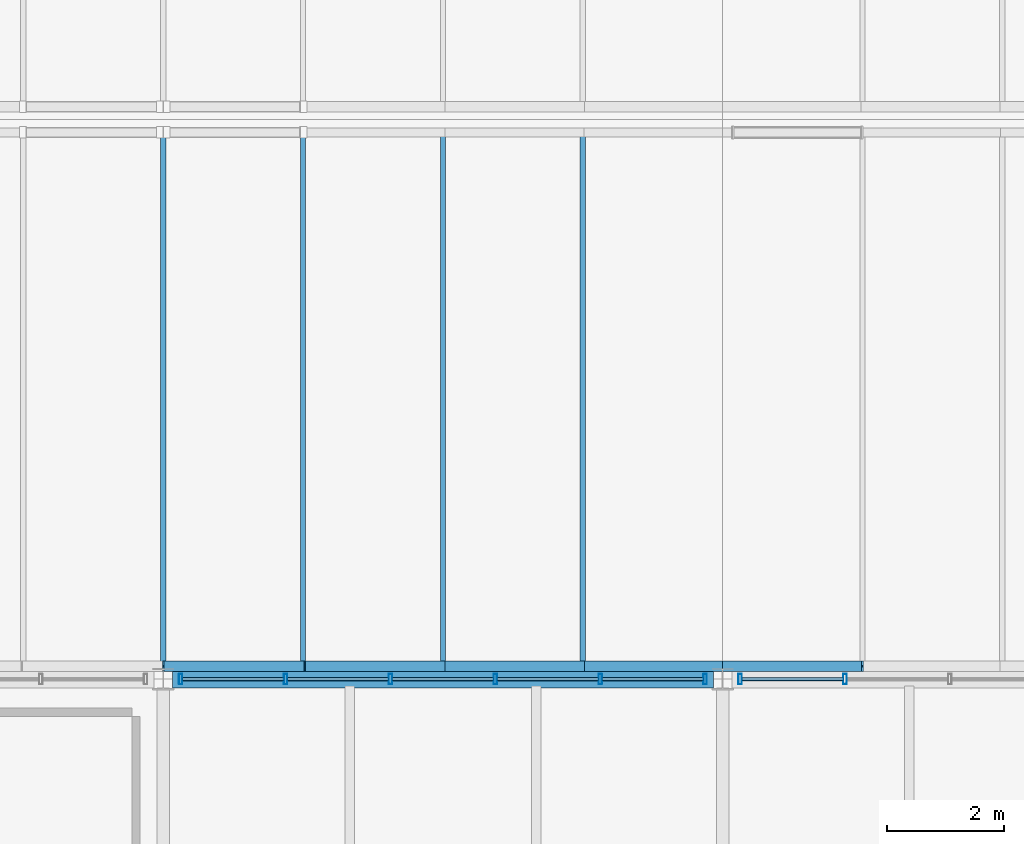
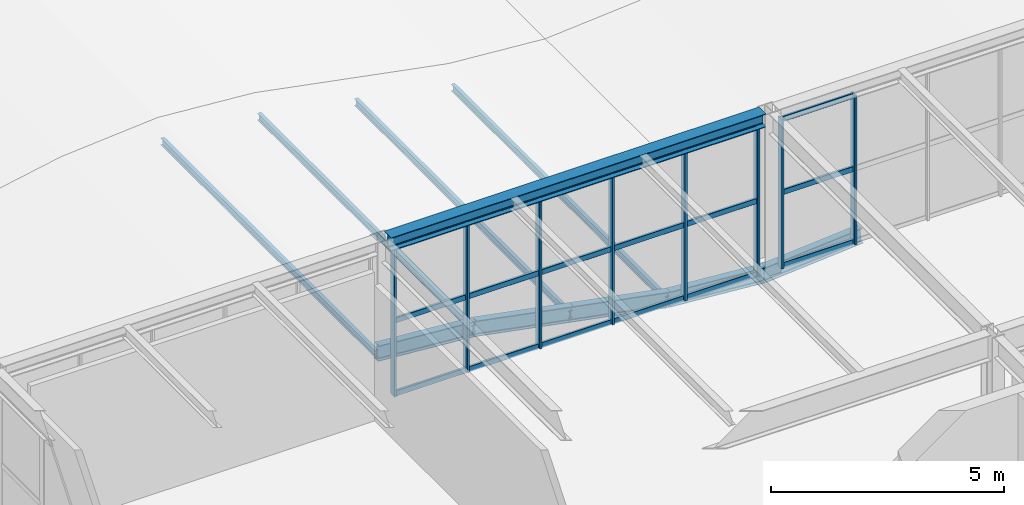
# One storey, part 91 of 170: 30 members, 6 beams, 2 elements without a shape of their own.
"""IFC4 building model written with IfcOpenShell, lengths in metres."""

from ifc_helpers import new_model, si_unit, direction, frame, origin, origin_2d, place, context, subcontext, project, spatial, hollow_rectangle, i_section, extrude, material, material_profile, profile_set, type_object, element, aggregate, save


model = new_model("IFC4")

# Units and contexts
model_context = context("Model", 3, precision=1e-05, world=origin(), true_north=direction((0.0, 1.0)))
body_context = subcontext(model_context, "Body", "Model", "MODEL_VIEW")
ifc_project = project(units=[si_unit("LENGTHUNIT", "METRE"), si_unit("AREAUNIT", "SQUARE_METRE"), si_unit("VOLUMEUNIT", "CUBIC_METRE"), si_unit("PLANEANGLEUNIT", "RADIAN"), si_unit("MASSUNIT", "GRAM", prefix="KILO")], contexts=[model_context])

# Site, building, storey
site_placement = place(None, origin())
site = spatial("IfcSite", under=ifc_project, at=site_placement, CompositionType="ELEMENT")
building_placement = place(site_placement, origin())
building = spatial("IfcBuilding", under=site, at=building_placement, Name="Coralgate Yard Interchange", CompositionType="ELEMENT")
storey_placement = place(building_placement, frame((0.0, 0.0, 6.0)))
storey = spatial("IfcBuildingStorey", under=building, at=storey_placement, Name="L01", CompositionType="ELEMENT", Elevation=6.0)

# Beams
ifc_material_1 = material(Name="Structural steel S355J2", Category="steel")
ifc_material_profile_1 = material_profile(ifc_material_1, i_section(OverallWidth=0.300048828125, OverallDepth=0.35009765625, WebThickness=0.010009765625, FlangeThickness=0.017578125, FilletRadius=0.027099609375, at=origin_2d()), Name="HEA 360")
ifc_profile_set_1 = profile_set([ifc_material_profile_1], Name="Structural steel S355J2")
beam_type_1 = type_object("IfcBeamType", Name="BM-SP-1", PredefinedType="SPANDREL", material=ifc_profile_set_1)
beam_1_placement = place(storey_placement, frame((48.15625, 96.0, 4.074951171875), z_axis=(1.0, 0.0, 0.0), x_axis=(0.0, 1.0, 0.0)))
element("IfcBeam", 1, at=beam_1_placement, inside=storey, type_object=beam_type_1, Name="L01 primary grid beam Y10 X5-6", PredefinedType="SPANDREL", context=body_context, shape_type="SweptSolid", body=[
    extrude(i_section(OverallWidth=0.300048828125, OverallDepth=0.35009765625, WebThickness=0.010009765625, FlangeThickness=0.017578125, FilletRadius=0.027099609375, at=origin_2d()), origin(), (0.0, 0.0, 1.0), 9.287353515625),
])
ifc_material_2 = material(Name="Off-white architectural structural steel S355J2", Category="steel")
ifc_material_profile_2 = material_profile(ifc_material_2, i_section(OverallWidth=0.179931640625, OverallDepth=0.39990234375, WebThickness=0.008544921875, FlangeThickness=0.013427734375, FilletRadius=0.02099609375, at=origin_2d()), Name="IPE 400")
ifc_profile_set_2 = profile_set([ifc_material_profile_2], Name="Off-white architectural structural steel S355J2")
beam_type_2 = type_object("IfcBeamType", Name="BM-WR-1", PredefinedType="BEAM", material=ifc_profile_set_2)
beam_2_placement = place(storey_placement, frame((48.0, 96.219970703125, 1.10009765625), z_axis=(0.996866661985, 0.0, -0.079100304817), x_axis=(0.0, 1.0, 0.0)))
element("IfcBeam", 2, at=beam_2_placement, inside=storey, type_object=beam_type_2, Name="Wave-shell steel arch rib R1-W1-S5", PredefinedType="BEAM", context=body_context, shape_type="SweptSolid", body=[
    extrude(i_section(OverallWidth=0.179931640625, OverallDepth=0.39990234375, WebThickness=0.008544921875, FlangeThickness=0.013427734375, FilletRadius=0.02099609375, at=origin_2d()), origin(), (0.0, 0.0, 1.0), 2.407470703125),
])
beam_3_placement = place(storey_placement, frame((50.39990234375, 96.219970703125, 0.90966796875), z_axis=(0.982146552954, 0.0, -0.188117379637), x_axis=(0.0, 1.0, 0.0)))
element("IfcBeam", 3, at=beam_3_placement, inside=storey, type_object=beam_type_2, Name="Wave-shell steel arch rib R1-W1-S6", PredefinedType="BEAM", context=body_context, shape_type="SweptSolid", body=[
    extrude(i_section(OverallWidth=0.179931640625, OverallDepth=0.39990234375, WebThickness=0.008544921875, FlangeThickness=0.013427734375, FilletRadius=0.02099609375, at=origin_2d()), origin(), (0.0, 0.0, 1.0), 2.44384765625),
])
beam_4_placement = place(storey_placement, frame((52.800048828125, 96.219970703125, 0.449951171875), z_axis=(0.98216147419, 0.0, -0.188039460267), x_axis=(0.0, 1.0, 0.0)))
element("IfcBeam", 4, at=beam_4_placement, inside=storey, type_object=beam_type_2, Name="Wave-shell steel arch rib R1-W1-S7", PredefinedType="BEAM", context=body_context, shape_type="SweptSolid", body=[
    extrude(i_section(OverallWidth=0.179931640625, OverallDepth=0.39990234375, WebThickness=0.008544921875, FlangeThickness=0.013427734375, FilletRadius=0.02099609375, at=origin_2d()), origin(), (0.0, 0.0, 1.0), 2.443603515625),
])
beam_5_placement = place(storey_placement, frame((55.199951171875, 96.219970703125, -0.009521484375), z_axis=(0.996867296401, 0.0, -0.079092309144), x_axis=(0.0, 1.0, 0.0)))
element("IfcBeam", 5, at=beam_5_placement, inside=storey, type_object=beam_type_2, Name="Wave-shell steel arch rib R1-W1-S8", PredefinedType="BEAM", context=body_context, shape_type="SweptSolid", body=[
    extrude(i_section(OverallWidth=0.179931640625, OverallDepth=0.39990234375, WebThickness=0.008544921875, FlangeThickness=0.013427734375, FilletRadius=0.02099609375, at=origin_2d()), origin(), (0.0, 0.0, 1.0), 2.40771484375),
])
beam_6_placement = place(storey_placement, frame((57.60009765625, 96.219970703125, -0.199951171875), z_axis=(0.996866661985, 0.0, 0.079100304817), x_axis=(0.0, 1.0, 0.0)))
element("IfcBeam", 6, at=beam_6_placement, inside=storey, type_object=beam_type_2, Name="Wave-shell steel arch rib R1-W2-S1", PredefinedType="BEAM", context=body_context, shape_type="SweptSolid", body=[
    extrude(i_section(OverallWidth=0.179931640625, OverallDepth=0.39990234375, WebThickness=0.008544921875, FlangeThickness=0.013427734375, FilletRadius=0.02099609375, at=origin_2d()), origin(), (0.0, 0.0, 1.0), 2.407470703125),
])

# Curtain wall, members
ifc_material_3 = material(Name="Anodised coastal aluminium and solar-control low-E glass", Category="aluminium")
curtain_wall_type = type_object("IfcCurtainWallType", Name="CW-CW-L01-B", PredefinedType="NOTDEFINED", material=ifc_material_3)
curtain_wall_1_placement = place(storey_placement, origin())
curtain_wall_1 = element("IfcCurtainWall", 7, at=curtain_wall_1_placement, inside=storey, type_object=curtain_wall_type, Name="L01 unitised curtain wall CW-L01-N-05-09", PredefinedType="NOTDEFINED")
ifc_material_4 = material(Name="Anodised coastal aluminium 6063-T6", Category="aluminium")
ifc_material_profile_3 = material_profile(ifc_material_4, hollow_rectangle(XDim=0.06005859375, YDim=0.179931640625, WallThickness=0.00390625, InnerFilletRadius=0.00390625, OuterFilletRadius=0.008056640625, at=origin_2d()), Name="ALU 60x180x4")
ifc_profile_set_3 = profile_set([ifc_material_profile_3], Name="Anodised coastal aluminium 6063-T6")
member_type_1 = type_object("IfcMemberType", Name="MB-MUL-180", PredefinedType="MULLION", material=ifc_profile_set_3)
member_1_placement = place(storey_placement, frame((48.300048828125, 96.0, 0.0), z_axis=(0.0, 0.0, 1.0), x_axis=(1.0, 0.0, 0.0)))
member_1 = element("IfcMember", 8, at=member_1_placement, type_object=member_type_1, Name="CW-L01-N-05-09 vertical mullion 1", PredefinedType="MULLION", context=body_context, shape_type="SweptSolid", body=[
    extrude(hollow_rectangle(XDim=0.06005859375, YDim=0.179931640625, WallThickness=0.00390625, InnerFilletRadius=0.00390625, OuterFilletRadius=0.008056640625, at=origin_2d()), origin(), (0.0, 0.0, 1.0), 3.89990234375),
])
member_2_placement = place(storey_placement, frame((50.10009765625, 96.0, 0.0), z_axis=(0.0, 0.0, 1.0), x_axis=(1.0, 0.0, 0.0)))
member_2 = element("IfcMember", 9, at=member_2_placement, type_object=member_type_1, Name="CW-L01-N-05-09 vertical mullion 2", PredefinedType="MULLION", context=body_context, shape_type="SweptSolid", body=[
    extrude(hollow_rectangle(XDim=0.06005859375, YDim=0.179931640625, WallThickness=0.00390625, InnerFilletRadius=0.00390625, OuterFilletRadius=0.008056640625, at=origin_2d()), origin(), (0.0, 0.0, 1.0), 3.89990234375),
])
member_3_placement = place(storey_placement, frame((51.89990234375, 96.0, 0.0), z_axis=(0.0, 0.0, 1.0), x_axis=(1.0, 0.0, 0.0)))
member_3 = element("IfcMember", 10, at=member_3_placement, type_object=member_type_1, Name="CW-L01-N-05-09 vertical mullion 3", PredefinedType="MULLION", context=body_context, shape_type="SweptSolid", body=[
    extrude(hollow_rectangle(XDim=0.06005859375, YDim=0.179931640625, WallThickness=0.00390625, InnerFilletRadius=0.00390625, OuterFilletRadius=0.008056640625, at=origin_2d()), origin(), (0.0, 0.0, 1.0), 3.89990234375),
])
member_4_placement = place(storey_placement, frame((53.699951171875, 96.0, 0.0), z_axis=(0.0, 0.0, 1.0), x_axis=(1.0, 0.0, 0.0)))
member_4 = element("IfcMember", 11, at=member_4_placement, type_object=member_type_1, Name="CW-L01-N-05-09 vertical mullion 4", PredefinedType="MULLION", context=body_context, shape_type="SweptSolid", body=[
    extrude(hollow_rectangle(XDim=0.06005859375, YDim=0.179931640625, WallThickness=0.00390625, InnerFilletRadius=0.00390625, OuterFilletRadius=0.008056640625, at=origin_2d()), origin(), (0.0, 0.0, 1.0), 3.89990234375),
])
member_5_placement = place(storey_placement, frame((55.5, 96.0, 0.0), z_axis=(0.0, 0.0, 1.0), x_axis=(1.0, 0.0, 0.0)))
member_5 = element("IfcMember", 12, at=member_5_placement, type_object=member_type_1, Name="CW-L01-N-05-09 vertical mullion 5", PredefinedType="MULLION", context=body_context, shape_type="SweptSolid", body=[
    extrude(hollow_rectangle(XDim=0.06005859375, YDim=0.179931640625, WallThickness=0.00390625, InnerFilletRadius=0.00390625, OuterFilletRadius=0.008056640625, at=origin_2d()), origin(), (0.0, 0.0, 1.0), 3.89990234375),
])
member_6_placement = place(storey_placement, frame((57.300048828125, 96.0, 0.0), z_axis=(0.0, 0.0, 1.0), x_axis=(1.0, 0.0, 0.0)))
member_6 = element("IfcMember", 13, at=member_6_placement, type_object=member_type_1, Name="CW-L01-N-05-09 vertical mullion 6", PredefinedType="MULLION", context=body_context, shape_type="SweptSolid", body=[
    extrude(hollow_rectangle(XDim=0.06005859375, YDim=0.179931640625, WallThickness=0.00390625, InnerFilletRadius=0.00390625, OuterFilletRadius=0.008056640625, at=origin_2d()), origin(), (0.0, 0.0, 1.0), 3.89990234375),
])

curtain_wall_2_placement = place(storey_placement, origin())
curtain_wall_2 = element("IfcCurtainWall", 14, at=curtain_wall_2_placement, inside=storey, type_object=curtain_wall_type, Name="L01 unitised curtain wall CW-L01-N-06-09", PredefinedType="NOTDEFINED")
member_7_placement = place(storey_placement, frame((57.89990234375, 96.0, 0.0), z_axis=(0.0, 0.0, 1.0), x_axis=(1.0, 0.0, 0.0)))
member_7 = element("IfcMember", 15, at=member_7_placement, type_object=member_type_1, Name="CW-L01-N-06-09 vertical mullion 1", PredefinedType="MULLION", context=body_context, shape_type="SweptSolid", body=[
    extrude(hollow_rectangle(XDim=0.06005859375, YDim=0.179931640625, WallThickness=0.00390625, InnerFilletRadius=0.00390625, OuterFilletRadius=0.008056640625, at=origin_2d()), origin(), (0.0, 0.0, 1.0), 3.89990234375),
])
member_8_placement = place(storey_placement, frame((59.699951171875, 96.0, 0.0), z_axis=(0.0, 0.0, 1.0), x_axis=(1.0, 0.0, 0.0)))
member_8 = element("IfcMember", 16, at=member_8_placement, type_object=member_type_1, Name="CW-L01-N-06-09 vertical mullion 2", PredefinedType="MULLION", context=body_context, shape_type="SweptSolid", body=[
    extrude(hollow_rectangle(XDim=0.06005859375, YDim=0.179931640625, WallThickness=0.00390625, InnerFilletRadius=0.00390625, OuterFilletRadius=0.008056640625, at=origin_2d()), origin(), (0.0, 0.0, 1.0), 3.89990234375),
])

# Members
ifc_material_profile_4 = material_profile(ifc_material_2, i_section(OverallWidth=0.091064453125, OverallDepth=0.179931640625, WebThickness=0.00537109375, FlangeThickness=0.008056640625, FilletRadius=0.009033203125, at=origin_2d()), Name="IPE 180")
ifc_profile_set_4 = profile_set([ifc_material_profile_4], Name="Off-white architectural structural steel S355J2")
member_type_2 = type_object("IfcMemberType", Name="MB-PR-2", PredefinedType="PURLIN", material=ifc_profile_set_4)
for number, where, z_axis, x_axis, name in (
    (17, (48.0, 96.199951171875, 1.06005859375), (0.0, 1.0, 0.0), (-1.0, 0.0, 0.0), "Wave-shell purlin R1-W1-5"),
    (18, (50.39990234375, 96.199951171875, 0.86962890625), (0.0, 1.0, 0.0), (-1.0, 0.0, 0.0), "Wave-shell purlin R1-W1-6"),
    (19, (52.800048828125, 96.199951171875, 0.409912109375), (0.0, 1.0, 0.0), (-1.0, 0.0, 0.0), "Wave-shell purlin R1-W1-7"),
    (20, (55.199951171875, 96.199951171875, -0.049560546875), (0.0, 1.0, 0.0), (-1.0, 0.0, 0.0), "Wave-shell purlin R1-W1-8"),
):
    element("IfcMember", number, at=place(storey_placement, frame(where, z_axis=z_axis, x_axis=x_axis)), inside=storey, type_object=member_type_2, Name=name, PredefinedType="PURLIN", context=body_context, shape_type="SweptSolid", body=[
        extrude(i_section(OverallWidth=0.091064453125, OverallDepth=0.179931640625, WebThickness=0.00537109375, FlangeThickness=0.008056640625, FilletRadius=0.009033203125, at=origin_2d()), origin(), (0.0, 0.0, 1.0), 9.199951171875),
    ])

# Member
ifc_material_profile_5 = material_profile(ifc_material_4, hollow_rectangle(XDim=0.06005859375, YDim=0.139892578125, WallThickness=0.00341796875, InnerFilletRadius=0.00341796875, OuterFilletRadius=0.007080078125, at=origin_2d()), Name="ALU 60x140x3.5")
ifc_profile_set_5 = profile_set([ifc_material_profile_5], Name="Anodised coastal aluminium 6063-T6")
member_type_3 = type_object("IfcMemberType", Name="MB-TRN-140", PredefinedType="USERDEFINED", material=ifc_profile_set_5)
member_9_placement = place(storey_placement, frame((48.330078125, 96.0, 0.034912109375), z_axis=(1.0, 0.0, 0.0), x_axis=(0.0, 1.0, 0.0)))
member_9 = element("IfcMember", 21, at=member_9_placement, type_object=member_type_3, Name="CW-L01-N-05-09 horizontal transom 1-1", ObjectType="TRANSOM", PredefinedType="USERDEFINED", context=body_context, shape_type="SweptSolid", body=[
    extrude(hollow_rectangle(XDim=0.06005859375, YDim=0.139892578125, WallThickness=0.00341796875, InnerFilletRadius=0.00341796875, OuterFilletRadius=0.007080078125, at=origin_2d()), origin(), (0.0, 0.0, 1.0), 1.739990234375),
])

member_10_placement = place(storey_placement, frame((48.330078125, 96.0, 1.949951171875), z_axis=(1.0, 0.0, 0.0), x_axis=(0.0, 1.0, 0.0)))
member_10 = element("IfcMember", 22, at=member_10_placement, type_object=member_type_3, Name="CW-L01-N-05-09 horizontal transom 1-2", ObjectType="TRANSOM", PredefinedType="USERDEFINED", context=body_context, shape_type="SweptSolid", body=[
    extrude(hollow_rectangle(XDim=0.06005859375, YDim=0.139892578125, WallThickness=0.00341796875, InnerFilletRadius=0.00341796875, OuterFilletRadius=0.007080078125, at=origin_2d()), origin(), (0.0, 0.0, 1.0), 1.739990234375),
])

member_11_placement = place(storey_placement, frame((48.330078125, 96.0, 3.864990234375), z_axis=(1.0, 0.0, 0.0), x_axis=(0.0, 1.0, 0.0)))
member_11 = element("IfcMember", 23, at=member_11_placement, type_object=member_type_3, Name="CW-L01-N-05-09 horizontal transom 1-3", ObjectType="TRANSOM", PredefinedType="USERDEFINED", context=body_context, shape_type="SweptSolid", body=[
    extrude(hollow_rectangle(XDim=0.06005859375, YDim=0.139892578125, WallThickness=0.00341796875, InnerFilletRadius=0.00341796875, OuterFilletRadius=0.007080078125, at=origin_2d()), origin(), (0.0, 0.0, 1.0), 1.739990234375),
])

member_12_placement = place(storey_placement, frame((50.1298828125, 96.0, 0.034912109375), z_axis=(1.0, 0.0, 0.0), x_axis=(0.0, 1.0, 0.0)))
member_12 = element("IfcMember", 24, at=member_12_placement, type_object=member_type_3, Name="CW-L01-N-05-09 horizontal transom 2-1", ObjectType="TRANSOM", PredefinedType="USERDEFINED", context=body_context, shape_type="SweptSolid", body=[
    extrude(hollow_rectangle(XDim=0.06005859375, YDim=0.139892578125, WallThickness=0.00341796875, InnerFilletRadius=0.00341796875, OuterFilletRadius=0.007080078125, at=origin_2d()), origin(), (0.0, 0.0, 1.0), 1.740234375),
])

member_13_placement = place(storey_placement, frame((50.1298828125, 96.0, 1.949951171875), z_axis=(1.0, 0.0, 0.0), x_axis=(0.0, 1.0, 0.0)))
member_13 = element("IfcMember", 25, at=member_13_placement, type_object=member_type_3, Name="CW-L01-N-05-09 horizontal transom 2-2", ObjectType="TRANSOM", PredefinedType="USERDEFINED", context=body_context, shape_type="SweptSolid", body=[
    extrude(hollow_rectangle(XDim=0.06005859375, YDim=0.139892578125, WallThickness=0.00341796875, InnerFilletRadius=0.00341796875, OuterFilletRadius=0.007080078125, at=origin_2d()), origin(), (0.0, 0.0, 1.0), 1.740234375),
])

member_14_placement = place(storey_placement, frame((50.1298828125, 96.0, 3.864990234375), z_axis=(1.0, 0.0, 0.0), x_axis=(0.0, 1.0, 0.0)))
member_14 = element("IfcMember", 26, at=member_14_placement, type_object=member_type_3, Name="CW-L01-N-05-09 horizontal transom 2-3", ObjectType="TRANSOM", PredefinedType="USERDEFINED", context=body_context, shape_type="SweptSolid", body=[
    extrude(hollow_rectangle(XDim=0.06005859375, YDim=0.139892578125, WallThickness=0.00341796875, InnerFilletRadius=0.00341796875, OuterFilletRadius=0.007080078125, at=origin_2d()), origin(), (0.0, 0.0, 1.0), 1.740234375),
])

member_15_placement = place(storey_placement, frame((51.929931640625, 96.0, 0.034912109375), z_axis=(1.0, 0.0, 0.0), x_axis=(0.0, 1.0, 0.0)))
member_15 = element("IfcMember", 27, at=member_15_placement, type_object=member_type_3, Name="CW-L01-N-05-09 horizontal transom 3-1", ObjectType="TRANSOM", PredefinedType="USERDEFINED", context=body_context, shape_type="SweptSolid", body=[
    extrude(hollow_rectangle(XDim=0.06005859375, YDim=0.139892578125, WallThickness=0.00341796875, InnerFilletRadius=0.00341796875, OuterFilletRadius=0.007080078125, at=origin_2d()), origin(), (0.0, 0.0, 1.0), 1.739990234375),
])

member_16_placement = place(storey_placement, frame((51.929931640625, 96.0, 1.949951171875), z_axis=(1.0, 0.0, 0.0), x_axis=(0.0, 1.0, 0.0)))
member_16 = element("IfcMember", 28, at=member_16_placement, type_object=member_type_3, Name="CW-L01-N-05-09 horizontal transom 3-2", ObjectType="TRANSOM", PredefinedType="USERDEFINED", context=body_context, shape_type="SweptSolid", body=[
    extrude(hollow_rectangle(XDim=0.06005859375, YDim=0.139892578125, WallThickness=0.00341796875, InnerFilletRadius=0.00341796875, OuterFilletRadius=0.007080078125, at=origin_2d()), origin(), (0.0, 0.0, 1.0), 1.739990234375),
])

member_17_placement = place(storey_placement, frame((51.929931640625, 96.0, 3.864990234375), z_axis=(1.0, 0.0, 0.0), x_axis=(0.0, 1.0, 0.0)))
member_17 = element("IfcMember", 29, at=member_17_placement, type_object=member_type_3, Name="CW-L01-N-05-09 horizontal transom 3-3", ObjectType="TRANSOM", PredefinedType="USERDEFINED", context=body_context, shape_type="SweptSolid", body=[
    extrude(hollow_rectangle(XDim=0.06005859375, YDim=0.139892578125, WallThickness=0.00341796875, InnerFilletRadius=0.00341796875, OuterFilletRadius=0.007080078125, at=origin_2d()), origin(), (0.0, 0.0, 1.0), 1.739990234375),
])

member_18_placement = place(storey_placement, frame((53.72998046875, 96.0, 0.034912109375), z_axis=(1.0, 0.0, 0.0), x_axis=(0.0, 1.0, 0.0)))
member_18 = element("IfcMember", 30, at=member_18_placement, type_object=member_type_3, Name="CW-L01-N-05-09 horizontal transom 4-1", ObjectType="TRANSOM", PredefinedType="USERDEFINED", context=body_context, shape_type="SweptSolid", body=[
    extrude(hollow_rectangle(XDim=0.06005859375, YDim=0.139892578125, WallThickness=0.00341796875, InnerFilletRadius=0.00341796875, OuterFilletRadius=0.007080078125, at=origin_2d()), origin(), (0.0, 0.0, 1.0), 1.739990234375),
])

member_19_placement = place(storey_placement, frame((53.72998046875, 96.0, 1.949951171875), z_axis=(1.0, 0.0, 0.0), x_axis=(0.0, 1.0, 0.0)))
member_19 = element("IfcMember", 31, at=member_19_placement, type_object=member_type_3, Name="CW-L01-N-05-09 horizontal transom 4-2", ObjectType="TRANSOM", PredefinedType="USERDEFINED", context=body_context, shape_type="SweptSolid", body=[
    extrude(hollow_rectangle(XDim=0.06005859375, YDim=0.139892578125, WallThickness=0.00341796875, InnerFilletRadius=0.00341796875, OuterFilletRadius=0.007080078125, at=origin_2d()), origin(), (0.0, 0.0, 1.0), 1.739990234375),
])

member_20_placement = place(storey_placement, frame((53.72998046875, 96.0, 3.864990234375), z_axis=(1.0, 0.0, 0.0), x_axis=(0.0, 1.0, 0.0)))
member_20 = element("IfcMember", 32, at=member_20_placement, type_object=member_type_3, Name="CW-L01-N-05-09 horizontal transom 4-3", ObjectType="TRANSOM", PredefinedType="USERDEFINED", context=body_context, shape_type="SweptSolid", body=[
    extrude(hollow_rectangle(XDim=0.06005859375, YDim=0.139892578125, WallThickness=0.00341796875, InnerFilletRadius=0.00341796875, OuterFilletRadius=0.007080078125, at=origin_2d()), origin(), (0.0, 0.0, 1.0), 1.739990234375),
])

member_21_placement = place(storey_placement, frame((55.530029296875, 96.0, 0.034912109375), z_axis=(1.0, 0.0, 0.0), x_axis=(0.0, 1.0, 0.0)))
member_21 = element("IfcMember", 33, at=member_21_placement, type_object=member_type_3, Name="CW-L01-N-05-09 horizontal transom 5-1", ObjectType="TRANSOM", PredefinedType="USERDEFINED", context=body_context, shape_type="SweptSolid", body=[
    extrude(hollow_rectangle(XDim=0.06005859375, YDim=0.139892578125, WallThickness=0.00341796875, InnerFilletRadius=0.00341796875, OuterFilletRadius=0.007080078125, at=origin_2d()), origin(), (0.0, 0.0, 1.0), 1.739990234375),
])

member_22_placement = place(storey_placement, frame((55.530029296875, 96.0, 1.949951171875), z_axis=(1.0, 0.0, 0.0), x_axis=(0.0, 1.0, 0.0)))
member_22 = element("IfcMember", 34, at=member_22_placement, type_object=member_type_3, Name="CW-L01-N-05-09 horizontal transom 5-2", ObjectType="TRANSOM", PredefinedType="USERDEFINED", context=body_context, shape_type="SweptSolid", body=[
    extrude(hollow_rectangle(XDim=0.06005859375, YDim=0.139892578125, WallThickness=0.00341796875, InnerFilletRadius=0.00341796875, OuterFilletRadius=0.007080078125, at=origin_2d()), origin(), (0.0, 0.0, 1.0), 1.739990234375),
])

member_23_placement = place(storey_placement, frame((55.530029296875, 96.0, 3.864990234375), z_axis=(1.0, 0.0, 0.0), x_axis=(0.0, 1.0, 0.0)))
member_23 = element("IfcMember", 35, at=member_23_placement, type_object=member_type_3, Name="CW-L01-N-05-09 horizontal transom 5-3", ObjectType="TRANSOM", PredefinedType="USERDEFINED", context=body_context, shape_type="SweptSolid", body=[
    extrude(hollow_rectangle(XDim=0.06005859375, YDim=0.139892578125, WallThickness=0.00341796875, InnerFilletRadius=0.00341796875, OuterFilletRadius=0.007080078125, at=origin_2d()), origin(), (0.0, 0.0, 1.0), 1.739990234375),
])

aggregate(curtain_wall_1, [member_1, member_2, member_3, member_4, member_5, member_6, member_9, member_10, member_11, member_12, member_13, member_14, member_15, member_16, member_17, member_18, member_19, member_20, member_21, member_22, member_23])

member_24_placement = place(storey_placement, frame((57.929931640625, 96.0, 0.034912109375), z_axis=(1.0, 0.0, 0.0), x_axis=(0.0, 1.0, 0.0)))
member_24 = element("IfcMember", 36, at=member_24_placement, type_object=member_type_3, Name="CW-L01-N-06-09 horizontal transom 1-1", ObjectType="TRANSOM", PredefinedType="USERDEFINED", context=body_context, shape_type="SweptSolid", body=[
    extrude(hollow_rectangle(XDim=0.06005859375, YDim=0.139892578125, WallThickness=0.00341796875, InnerFilletRadius=0.00341796875, OuterFilletRadius=0.007080078125, at=origin_2d()), origin(), (0.0, 0.0, 1.0), 1.739990234375),
])

member_25_placement = place(storey_placement, frame((57.929931640625, 96.0, 1.949951171875), z_axis=(1.0, 0.0, 0.0), x_axis=(0.0, 1.0, 0.0)))
member_25 = element("IfcMember", 37, at=member_25_placement, type_object=member_type_3, Name="CW-L01-N-06-09 horizontal transom 1-2", ObjectType="TRANSOM", PredefinedType="USERDEFINED", context=body_context, shape_type="SweptSolid", body=[
    extrude(hollow_rectangle(XDim=0.06005859375, YDim=0.139892578125, WallThickness=0.00341796875, InnerFilletRadius=0.00341796875, OuterFilletRadius=0.007080078125, at=origin_2d()), origin(), (0.0, 0.0, 1.0), 1.739990234375),
])

member_26_placement = place(storey_placement, frame((57.929931640625, 96.0, 3.864990234375), z_axis=(1.0, 0.0, 0.0), x_axis=(0.0, 1.0, 0.0)))
member_26 = element("IfcMember", 38, at=member_26_placement, type_object=member_type_3, Name="CW-L01-N-06-09 horizontal transom 1-3", ObjectType="TRANSOM", PredefinedType="USERDEFINED", context=body_context, shape_type="SweptSolid", body=[
    extrude(hollow_rectangle(XDim=0.06005859375, YDim=0.139892578125, WallThickness=0.00341796875, InnerFilletRadius=0.00341796875, OuterFilletRadius=0.007080078125, at=origin_2d()), origin(), (0.0, 0.0, 1.0), 1.739990234375),
])

aggregate(curtain_wall_2, [member_7, member_8, member_24, member_25, member_26])

save(model, "model.ifc")
